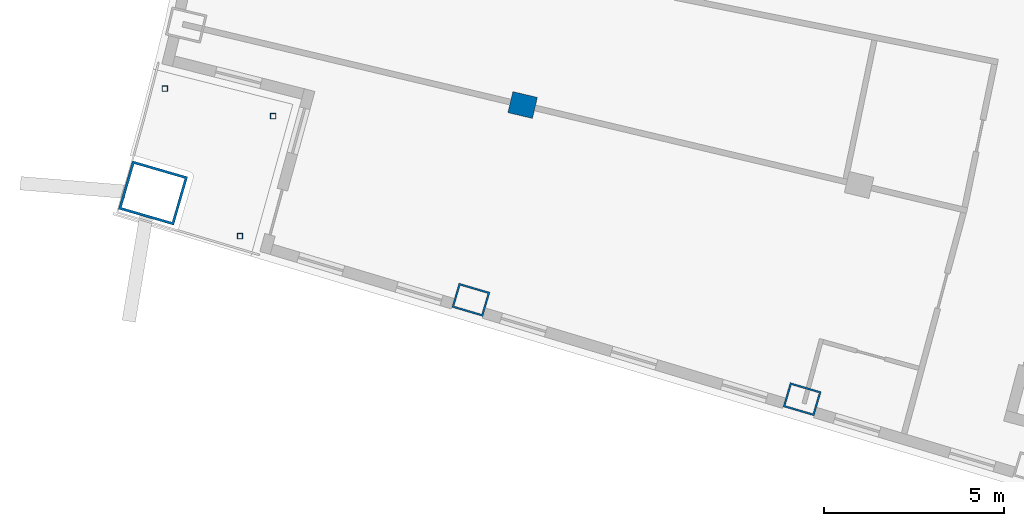
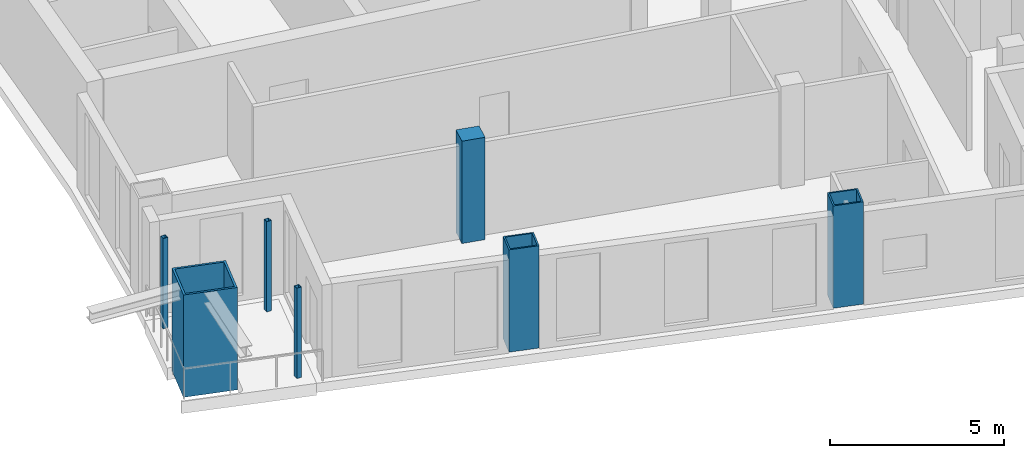
# One storey, part 1 of 15: 7 columns.
"""IFC4 building model written with IfcOpenShell, lengths in metres."""

import ifcopenshell
import ifcopenshell.guid

model = None  # the IFC model being written
_history = None  # IfcOwnerHistory: only IFC2X3 demands one
_inside = {}  # id of a spatial element -> (the spatial element, [elements in it])
_under = {}  # id of a project, library or spatial element -> (it, [spatial elements below it])
_declared = {}  # id of a project -> (the project, [libraries it declares])
_typed = {}  # id of a type object -> (the type object, [elements of that type])
_made_of = {}  # id of a material, layer set ... -> (it, [elements and type objects made of it])


def new_model(schema):
    """Start an empty IFC model of exactly this schema.

    Asked for "IFC4X3", IfcOpenShell would pick the latest addendum, in which some entities
    have other attributes; the version numbers below select the first issue.
    IFC2X3 requires an IfcOwnerHistory on every rooted entity: one is made here for all.
    """
    global model, _history
    if schema == "IFC4X3":
        model = ifcopenshell.file(schema_version=(4, 3, 0, 0))
    else:
        model = ifcopenshell.file(schema=schema)
    _inside.clear()
    _under.clear()
    _declared.clear()
    _typed.clear()
    _made_of.clear()
    _history = None
    if model.schema == "IFC2X3":
        org = make("IfcOrganization", Name="unknown")
        user = make(
            "IfcPersonAndOrganization",
            ThePerson=make("IfcPerson", FamilyName="unknown"),
            TheOrganization=org,
        )
        app = make(
            "IfcApplication",
            ApplicationDeveloper=org,
            Version="unknown",
            ApplicationFullName="unknown",
            ApplicationIdentifier="unknown",
        )
        _history = make(
            "IfcOwnerHistory",
            OwningUser=user,
            OwningApplication=app,
            ChangeAction="ADDED",
            CreationDate=0,
        )
    return model


def make(cls, **values):
    """One entity of the class cls with the attributes given. An attribute that is None is left unset."""
    return model.create_entity(
        cls, **{name: value for name, value in values.items() if value is not None}
    )


def rooted(cls, **values):
    """An entity with a GlobalId (a new one), such as an element, a storey or a relation."""
    return make(cls, GlobalId=ifcopenshell.guid.new(), OwnerHistory=_history, **values)


def si_unit(unit_type, name, prefix=None):
    """IfcSIUnit, for example si_unit("LENGTHUNIT", "METRE", prefix="MILLI")."""
    return make("IfcSIUnit", UnitType=unit_type, Prefix=prefix, Name=name)


def assignment(units):
    """IfcUnitAssignment: the units of a project."""
    return None if units is None else make("IfcUnitAssignment", Units=units)


def point(xyz):
    """IfcCartesianPoint."""
    return None if xyz is None else make("IfcCartesianPoint", Coordinates=xyz)


def direction(xyz):
    """IfcDirection."""
    return None if xyz is None else make("IfcDirection", DirectionRatios=xyz)


def frame(location, z_axis=None, x_axis=None):
    """IfcAxis2Placement3D, a coordinate frame: its origin and axes. An axis left out is left unset."""
    return make(
        "IfcAxis2Placement3D",
        Location=point(location),
        Axis=direction(z_axis),
        RefDirection=direction(x_axis),
    )


def frame_2d(location, x_axis=None):
    """IfcAxis2Placement2D, a coordinate frame in the plane: its origin and x axis."""
    return make(
        "IfcAxis2Placement2D", Location=point(location), RefDirection=direction(x_axis)
    )


def origin():
    """The frame at (0, 0, 0) with its axes left unset."""
    return frame((0.0, 0.0, 0.0))


def origin_2d():
    """The frame at (0, 0) in the plane with its x axis left unset."""
    return frame_2d((0.0, 0.0))


def place(relative_to, where):
    """IfcLocalPlacement: puts the frame where relative to a parent placement (None: the world)."""
    return make(
        "IfcLocalPlacement", PlacementRelTo=relative_to, RelativePlacement=where
    )


def context(
    kind, dimensions, precision=None, world=None, true_north=None, identifier=None
):
    """IfcGeometricRepresentationContext, for example the 3D "Model" context."""
    return make(
        "IfcGeometricRepresentationContext",
        ContextIdentifier=identifier,
        ContextType=kind,
        CoordinateSpaceDimension=dimensions,
        Precision=precision,
        WorldCoordinateSystem=world,
        TrueNorth=true_north,
    )


def subcontext(parent, identifier, kind, view, scale=None):
    """IfcGeometricRepresentationSubContext, for example "Body" below "Model"."""
    return make(
        "IfcGeometricRepresentationSubContext",
        ContextIdentifier=identifier,
        ContextType=kind,
        ParentContext=parent,
        TargetScale=scale,
        TargetView=view,
    )


def project(units=None, contexts=None):
    """IfcProject with its units and contexts."""
    return rooted(
        "IfcProject",
        Name="project",
        RepresentationContexts=contexts,
        UnitsInContext=assignment(units),
    )


def spatial(cls, under=None, at=None, **own):
    """A site, building, storey or space (cls), placed at a placement, below another one or the project."""
    s = rooted(cls, ObjectPlacement=at, **own)
    if under is not None:
        _under.setdefault(under.id(), (under, []))[1].append(s)
    return s


def profile(cls, at=None, kind="AREA", **sizes):
    """A parametric profile (cls). Its sizes go by their IFC names, for example OverallWidth=200.0."""
    return make(cls, ProfileType=kind, Position=at, **sizes)


def rectangle(**sizes):
    """IfcRectangleProfileDef."""
    return profile("IfcRectangleProfileDef", **sizes)


def hollow_rectangle(**sizes):
    """IfcRectangleHollowProfileDef."""
    return profile("IfcRectangleHollowProfileDef", **sizes)


def extrude(swept, where, along, depth):
    """IfcExtrudedAreaSolid: the profile swept, set in the frame where, extruded along a direction by depth."""
    return make(
        "IfcExtrudedAreaSolid",
        SweptArea=swept,
        Position=where,
        ExtrudedDirection=direction(along),
        Depth=depth,
    )


def shape(context_of_items, identifier, shape_type, items):
    """IfcShapeRepresentation: the items that make up one representation, for example the "Body"."""
    return make(
        "IfcShapeRepresentation",
        ContextOfItems=context_of_items,
        RepresentationIdentifier=identifier,
        RepresentationType=shape_type,
        Items=items,
    )


def material(Name=None, Category=None):
    """IfcMaterial."""
    return make("IfcMaterial", Name=Name, Category=Category)


def material_profile(
    of_material, cross_section, Name=None, Category=None, Priority=None
):
    """IfcMaterialProfile: a cross section and its material."""
    return make(
        "IfcMaterialProfile",
        Name=Name,
        Material=of_material,
        Profile=cross_section,
        Priority=Priority,
        Category=Category,
    )


def profile_set(profiles, Name=None, composite=None):
    """IfcMaterialProfileSet."""
    return make(
        "IfcMaterialProfileSet",
        Name=Name,
        MaterialProfiles=profiles,
        CompositeProfile=composite,
    )


def made_of(thing, what):
    """Note that an element or type object is made of a material, layer set ...; save() writes the relation."""
    if what is not None:
        _made_of.setdefault(what.id(), (what, []))[1].append(thing)
    return thing


def type_object(cls, material=None, **own):
    """A type object (cls), such as IfcWallType, which elements share."""
    return made_of(rooted(cls, **own), material)


def element(
    cls,
    number,
    at=None,
    inside=None,
    cuts=None,
    type_object=None,
    material=None,
    context=None,
    identifier="Body",
    shape_type=None,
    held_by="IfcProductDefinitionShape",
    body=None,
    shapes=None,
    **own,
):
    """One element of the class cls, such as IfcWall. Its Tag is "e" and its number.

    at: its placement. inside: the storey or other place that contains it. cuts: it is an
    opening in that element (IfcRelVoidsElement). A single representation is given by context,
    identifier, shape_type and body (its items); several are given by shapes. held_by: the class
    of the entity that holds the representations. save() writes the other relations.
    """
    e = rooted(cls, Tag="e%d" % number, ObjectPlacement=at, **own)
    if body is not None:
        shapes = [shape(context, identifier, shape_type, body)]
    if shapes is not None:
        e.Representation = make(held_by, Representations=shapes)
    if inside is not None:
        _inside.setdefault(inside.id(), (inside, []))[1].append(e)
    if cuts is not None:
        rooted(
            "IfcRelVoidsElement", RelatingBuildingElement=cuts, RelatedOpeningElement=e
        )
    if type_object is not None:
        _typed.setdefault(type_object.id(), (type_object, []))[1].append(e)
    return made_of(e, material)


def aggregate(whole, parts):
    """IfcRelAggregates: a whole, such as a stair, and the parts it consists of."""
    return rooted("IfcRelAggregates", RelatingObject=whole, RelatedObjects=parts)


def save(model, path):
    """Write the relations noted so far, then the file.

    IfcRelAggregates (storeys below a building ...), IfcRelContainedInSpatialStructure (elements
    in a storey), IfcRelDefinesByType, IfcRelAssociatesMaterial and IfcRelDeclares: one each for
    every whole, place, type object, material and project.
    """
    for whole, parts in _under.values():
        aggregate(whole, parts)
    for where, things in _inside.values():
        rooted(
            "IfcRelContainedInSpatialStructure",
            RelatedElements=things,
            RelatingStructure=where,
        )
    for kind, things in _typed.values():
        rooted("IfcRelDefinesByType", RelatedObjects=things, RelatingType=kind)
    for what, things in _made_of.values():
        rooted("IfcRelAssociatesMaterial", RelatedObjects=things, RelatingMaterial=what)
    for by, libraries in _declared.values():
        rooted("IfcRelDeclares", RelatingContext=by, RelatedDefinitions=libraries)
    model.write(path)


model = new_model("IFC4")

# Units and contexts
model_context = context("Model", 3, precision=1e-05, world=origin(), true_north=direction((0.0, 1.0)))
body_context = subcontext(model_context, "Body", "Model", "MODEL_VIEW")
ifc_project = project(units=[si_unit("LENGTHUNIT", "METRE"), si_unit("AREAUNIT", "SQUARE_METRE"), si_unit("VOLUMEUNIT", "CUBIC_METRE"), si_unit("PLANEANGLEUNIT", "RADIAN"), si_unit("MASSUNIT", "GRAM", prefix="KILO")], contexts=[model_context])

# Site, building, storey
site_placement = place(None, origin())
site = spatial("IfcSite", under=ifc_project, at=site_placement, CompositionType="ELEMENT")
building_placement = place(site_placement, origin())
building = spatial("IfcBuilding", under=site, at=building_placement, Name="Alderwake Tower", CompositionType="ELEMENT")
storey_placement = place(building_placement, frame((0.0, 0.0, 285.199951171875)))
storey = spatial("IfcBuildingStorey", under=building, at=storey_placement, Name="L71", CompositionType="ELEMENT", Elevation=285.199951171875)

# Columns
ifc_material_1 = material(Name="Steel ASTM A572 Grade 50 concrete filled C70/85", Category="concrete")
ifc_material_profile_1 = material_profile(ifc_material_1, hollow_rectangle(XDim=0.699951171875, YDim=0.89990234375, WallThickness=0.050048828125, at=origin_2d()), Name="BOX 900X700X50")
ifc_profile_set_1 = profile_set([ifc_material_profile_1], Name="Steel ASTM A572 Grade 50 concrete filled C70/85")
column_type_1 = type_object("IfcColumnType", Name="End column Z5", PredefinedType="COLUMN", material=ifc_profile_set_1)
for number, where, z_axis, x_axis, name in (
    (1, (21.885498046875, 31.03759765625, 0.0), (0.0, 0.0, 1.0), (0.282132160283, 0.95937554906, 0.0), "Column R02-C1"),
    (2, (31.080322265625, 28.27685546875, 0.0), (0.0, 0.0, 1.0), (0.282582549822, 0.959242984095, 0.0), "Column R02-C2"),
):
    element("IfcColumn", number, at=place(storey_placement, frame(where, z_axis=z_axis, x_axis=x_axis)), inside=storey, type_object=column_type_1, Name=name, PredefinedType="COLUMN", context=body_context, shape_type="SweptSolid", body=[
        extrude(hollow_rectangle(XDim=0.699951171875, YDim=0.89990234375, WallThickness=0.050048828125, at=origin_2d()), origin(), (0.0, 0.0, 1.0), 3.60009765625),
    ])
ifc_material_2 = material(Name="Concrete C70/85", Category="concrete")
ifc_material_profile_2 = material_profile(ifc_material_2, rectangle(XDim=0.60009765625, YDim=0.699951171875, at=origin_2d()), Name="RC 700X600")
ifc_profile_set_2 = profile_set([ifc_material_profile_2], Name="Concrete C70/85")
column_type_2 = type_object("IfcColumnType", Name="Interior column Z5", PredefinedType="COLUMN", material=ifc_profile_set_2)
column_1_placement = place(storey_placement, frame((23.322021484375, 36.444091796875, 0.0), z_axis=(0.0, 0.0, 1.0), x_axis=(0.231221547198, 0.972901123502, 0.0)))
element("IfcColumn", 3, at=column_1_placement, inside=storey, type_object=column_type_2, Name="Column R03-C1", PredefinedType="COLUMN", context=body_context, shape_type="SweptSolid", body=[
    extrude(rectangle(XDim=0.60009765625, YDim=0.699951171875, at=origin_2d()), origin(), (0.0, 0.0, 1.0), 3.60009765625),
])
ifc_material_3 = material(Name="Steel ASTM A500 Grade C", Category="steel")
ifc_material_profile_3 = material_profile(ifc_material_3, hollow_rectangle(XDim=0.15234375, YDim=0.15234375, WallThickness=0.0087890625, at=origin_2d()), Name="HSS6X6X3/8")
ifc_profile_set_3 = profile_set([ifc_material_profile_3], Name="Steel ASTM A500 Grade C")
column_type_3 = type_object("IfcColumnType", Name="Light post HSS6X6X3/8", PredefinedType="COLUMN", material=ifc_profile_set_3)
for number, where, z_axis, x_axis, name in (
    (4, (13.3896484375, 36.896484375, 0.0), (0.0, 0.0, 1.0), (1.0, 0.0, 0.0), "Terrace post RS1"),
    (5, (15.47412109375, 32.805908203125, 0.0), (0.0, 0.0, 1.0), (1.0, 0.0, 0.0), "Terrace post RS2"),
    (6, (16.39501953125, 36.135986328125, 0.0), (0.0, 0.0, 1.0), (1.0, 0.0, 0.0), "Terrace post RS3"),
):
    element("IfcColumn", number, at=place(storey_placement, frame(where, z_axis=z_axis, x_axis=x_axis)), inside=storey, type_object=column_type_3, Name=name, PredefinedType="COLUMN", context=body_context, shape_type="SweptSolid", body=[
        extrude(hollow_rectangle(XDim=0.15234375, YDim=0.15234375, WallThickness=0.0087890625, at=origin_2d()), origin(), (0.0, 0.0, 1.0), 3.179931640625),
    ])
ifc_material_4 = material(Name="Steel ASTM A572 Grade 50 concrete filled C70/85", Category="concrete")
ifc_material_profile_4 = material_profile(ifc_material_4, hollow_rectangle(XDim=1.39990234375, YDim=1.60009765625, WallThickness=0.070068359375, at=origin_2d()), Name="BOX 1600X1400X70")
ifc_profile_set_4 = profile_set([ifc_material_profile_4], Name="Steel ASTM A572 Grade 50 concrete filled C70/85")
column_type_4 = type_object("IfcColumnType", Name="Mega column Z5", PredefinedType="COLUMN", material=ifc_profile_set_4)
column_2_placement = place(storey_placement, frame((13.06298828125, 34.00244140625, 0.0), z_axis=(0.0, 0.0, 1.0), x_axis=(0.278612301868, 0.960403657452, 0.0)))
element("IfcColumn", 7, at=column_2_placement, inside=storey, type_object=column_type_4, Name="Column R02-C0", PredefinedType="COLUMN", context=body_context, shape_type="SweptSolid", body=[
    extrude(hollow_rectangle(XDim=1.39990234375, YDim=1.60009765625, WallThickness=0.070068359375, at=origin_2d()), origin(), (0.0, 0.0, 1.0), 3.60009765625),
])

save(model, "model.ifc")
